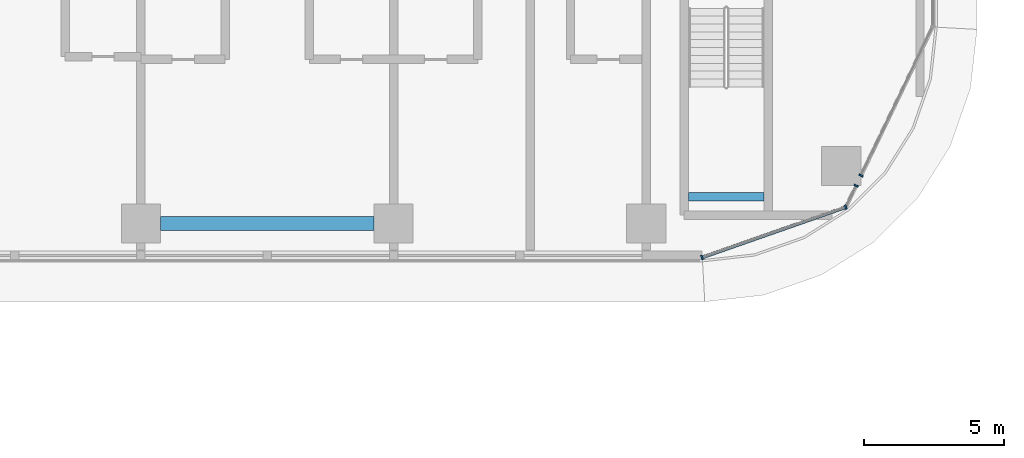
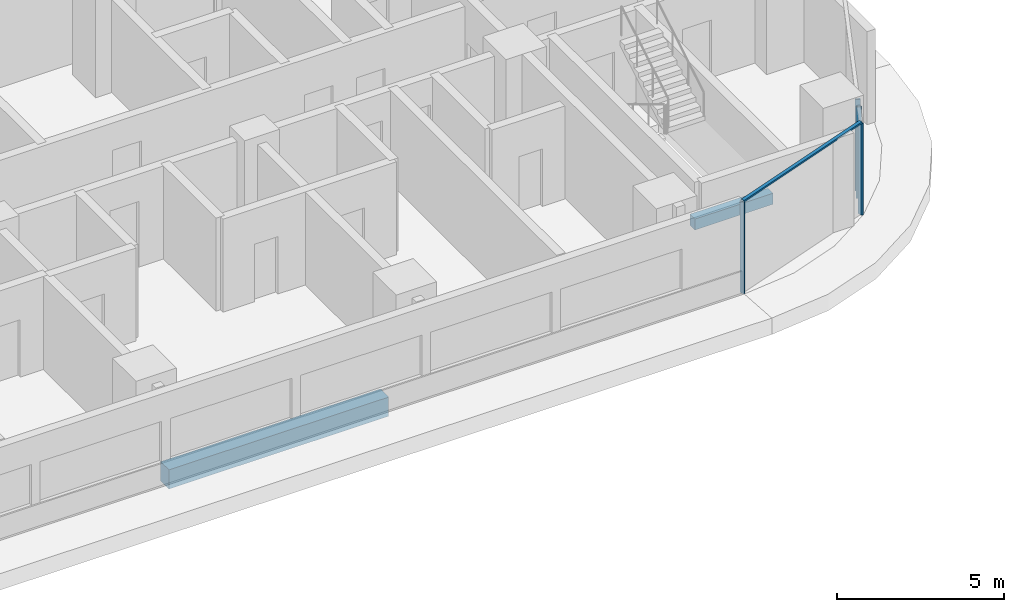
# One storey, part 3 of 39: 5 members, 2 beams, 2 elements without a shape of their own.
"""IFC4 building model written with IfcOpenShell, lengths in metres."""

from ifc_helpers import new_model, si_unit, direction, frame, origin, origin_2d, place, context, subcontext, project, spatial, rectangle, extrude, material, material_profile, profile_set, type_object, element, aggregate, save


model = new_model("IFC4")

# Units and contexts
model_context = context("Model", 3, precision=1e-05, world=origin(), true_north=direction((0.0, 1.0)))
body_context = subcontext(model_context, "Body", "Model", "MODEL_VIEW")
ifc_project = project(units=[si_unit("LENGTHUNIT", "METRE"), si_unit("AREAUNIT", "SQUARE_METRE"), si_unit("VOLUMEUNIT", "CUBIC_METRE"), si_unit("PLANEANGLEUNIT", "RADIAN"), si_unit("MASSUNIT", "GRAM", prefix="KILO")], contexts=[model_context])

# Site, building, storey
site_placement = place(None, origin())
site = spatial("IfcSite", under=ifc_project, at=site_placement, CompositionType="ELEMENT")
building_placement = place(site_placement, origin())
building = spatial("IfcBuilding", under=site, at=building_placement, Name="Ogive Portal Towers", CompositionType="ELEMENT")
storey_placement = place(building_placement, frame((0.0, 0.0, 44.60009765625)))
storey = spatial("IfcBuildingStorey", under=building, at=storey_placement, Name="L09", CompositionType="ELEMENT", Elevation=44.60009765625)

# Beam
ifc_material_1 = material(Name="Concrete C40/50", Category="concrete")
ifc_material_profile_1 = material_profile(ifc_material_1, rectangle(XDim=0.300048828125, YDim=0.39990234375, at=origin_2d()), Name="RC 300x400")
ifc_profile_set_1 = profile_set([ifc_material_profile_1], Name="Concrete C40/50")
beam_type_1 = type_object("IfcBeamType", Name="BEAM RC 300x400", PredefinedType="BEAM", material=ifc_profile_set_1)
beam_1_placement = place(storey_placement, frame((87.0, 22.449951171875, 1.449951171875), z_axis=(1.0, 0.0, 0.0), x_axis=(0.0, 1.0, 0.0)))
element("IfcBeam", 1, at=beam_1_placement, inside=storey, type_object=beam_type_1, Name="Landing beam L09", PredefinedType="BEAM", context=body_context, shape_type="SweptSolid", body=[
    extrude(rectangle(XDim=0.300048828125, YDim=0.39990234375, at=origin_2d()), origin(), (0.0, 0.0, 1.0), 2.699951171875),
])

# Curtain wall, members
ifc_material_2 = material(Name="Glass, clear low-iron insulated glazing", Category="glass")
curtain_wall_type = type_object("IfcCurtainWallType", Name="CW FRONT RIBBON 4500", PredefinedType="NOTDEFINED", material=ifc_material_2)
curtain_wall_1_placement = place(storey_placement, origin())
curtain_wall_1 = element("IfcCurtainWall", 2, at=curtain_wall_1_placement, inside=storey, type_object=curtain_wall_type, Name="A:L09:f06:cwa~0", PredefinedType="NOTDEFINED")
ifc_material_3 = material(Name="Aluminium 6063 anodised", Category="aluminium")
ifc_material_profile_2 = material_profile(ifc_material_3, rectangle(XDim=0.159912109375, YDim=0.06005859375, at=origin_2d()), Name="AL 60x160")
ifc_profile_set_2 = profile_set([ifc_material_profile_2], Name="Aluminium 6063 anodised")
member_type_1 = type_object("IfcMemberType", Name="CW MULLION 60x160", PredefinedType="MULLION", material=ifc_profile_set_2)
member_1_placement = place(storey_placement, frame((87.486328125, 20.294921875, 0.0), z_axis=(0.0, 0.0, 1.0), x_axis=(-0.33027906196, 0.943883330307, 0.0)))
member_1 = element("IfcMember", 3, at=member_1_placement, type_object=member_type_1, Name="mullion", PredefinedType="MULLION", context=body_context, shape_type="SweptSolid", body=[
    extrude(rectangle(XDim=0.159912109375, YDim=0.06005859375, at=origin_2d()), origin(), (0.0, 0.0, 1.0), 3.33984375),
])
member_2_placement = place(storey_placement, frame((92.60791015625, 22.087158203125, 0.0), z_axis=(0.0, 0.0, 1.0), x_axis=(-0.33027906196, 0.943883330307, 0.0)))
member_2 = element("IfcMember", 4, at=member_2_placement, type_object=member_type_1, Name="mullion", PredefinedType="MULLION", context=body_context, shape_type="SweptSolid", body=[
    extrude(rectangle(XDim=0.159912109375, YDim=0.06005859375, at=origin_2d()), origin(), (0.0, 0.0, 1.0), 3.33984375),
])
member_3_placement = place(storey_placement, frame((92.975341796875, 22.85009765625, 0.0), z_axis=(0.0, 0.0, 1.0), x_axis=(-0.900968867905, 0.433883739113, 0.0)))
member_3 = element("IfcMember", 5, at=member_3_placement, type_object=member_type_1, Name="mullion", PredefinedType="MULLION", context=body_context, shape_type="SweptSolid", body=[
    extrude(rectangle(XDim=0.159912109375, YDim=0.06005859375, at=origin_2d()), origin(), (0.0, 0.0, 1.0), 3.33984375),
])

# Curtain wall, member
curtain_wall_2_placement = place(storey_placement, origin())
curtain_wall_2 = element("IfcCurtainWall", 6, at=curtain_wall_2_placement, inside=storey, type_object=curtain_wall_type, Name="A:L09:f06:cwa~1", PredefinedType="NOTDEFINED")
member_4_placement = place(storey_placement, frame((93.14990234375, 23.212646484375, 0.0), z_axis=(0.0, 0.0, 1.0), x_axis=(-0.900968867905, 0.433883739113, 0.0)))
member_4 = element("IfcMember", 7, at=member_4_placement, type_object=member_type_1, Name="mullion", PredefinedType="MULLION", context=body_context, shape_type="SweptSolid", body=[
    extrude(rectangle(XDim=0.159912109375, YDim=0.06005859375, at=origin_2d()), origin(), (0.0, 0.0, 1.0), 3.33984375),
])
aggregate(curtain_wall_2, [member_4])

# Member
ifc_material_profile_3 = material_profile(ifc_material_3, rectangle(XDim=0.1201171875, YDim=0.06005859375, at=origin_2d()), Name="AL 120x60")
ifc_profile_set_3 = profile_set([ifc_material_profile_3], Name="Aluminium 6063 anodised")
member_type_2 = type_object("IfcMemberType", Name="CW TRANSOM 60x120", PredefinedType="USERDEFINED", material=ifc_profile_set_3)
member_5_placement = place(storey_placement, frame((87.486328125, 20.294921875, 3.369873046875), z_axis=(0.943876592884, 0.330298315777, 0.0), x_axis=(-0.330298315777, 0.943876592884, 0.0)))
member_5 = element("IfcMember", 8, at=member_5_placement, type_object=member_type_2, Name="transom", ObjectType="TRANSOM", PredefinedType="USERDEFINED", context=body_context, shape_type="SweptSolid", body=[
    extrude(rectangle(XDim=0.1201171875, YDim=0.06005859375, at=origin_2d()), origin(), (0.0, 0.0, 1.0), 5.426025390625),
])

aggregate(curtain_wall_1, [member_5, member_1, member_2, member_3])

# Beam
ifc_material_profile_4 = material_profile(ifc_material_1, rectangle(XDim=0.5, YDim=0.699951171875, at=origin_2d()), Name="RC 500x700")
ifc_profile_set_4 = profile_set([ifc_material_profile_4], Name="Concrete C40/50")
beam_type_2 = type_object("IfcBeamType", Name="SPANDREL BEAM RC 500x700", PredefinedType="BEAM", material=ifc_profile_set_4)
beam_2_placement = place(storey_placement, frame((75.800048828125, 21.5, -0.650146484375), z_axis=(-1.0, 0.0, 0.0), x_axis=(0.0, -1.0, 0.0)))
element("IfcBeam", 9, at=beam_2_placement, inside=storey, type_object=beam_type_2, Name="Spandrel beam L09", PredefinedType="BEAM", context=body_context, shape_type="SweptSolid", body=[
    extrude(rectangle(XDim=0.5, YDim=0.699951171875, at=origin_2d()), origin(), (0.0, 0.0, 1.0), 7.60009765625),
])

save(model, "model.ifc")
